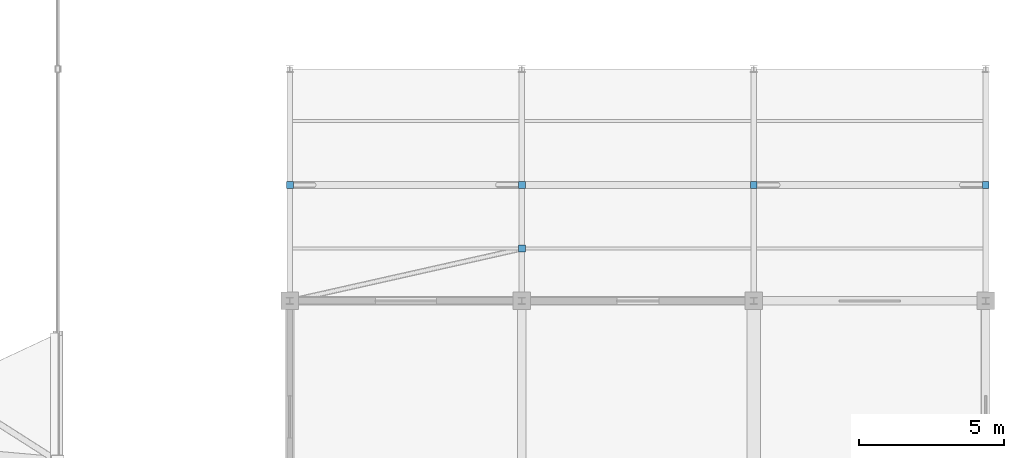
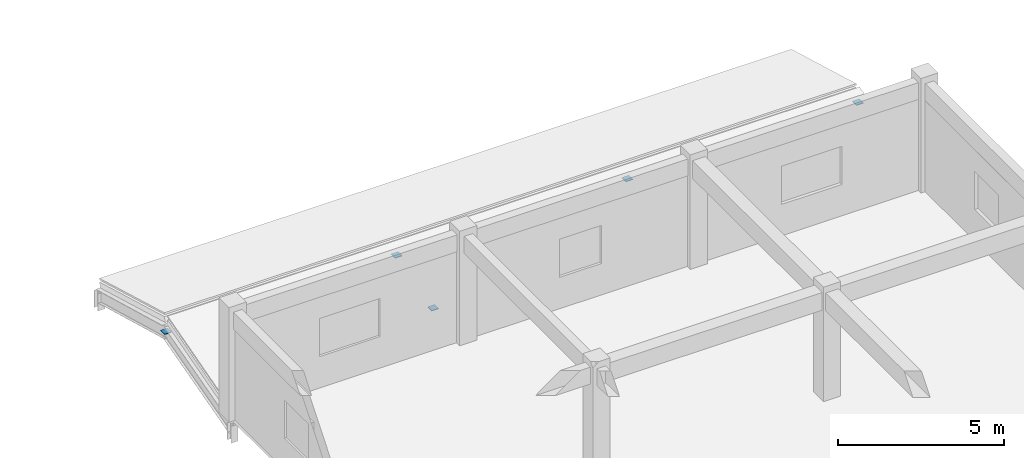
# One storey, part 48 of 54: 5 discrete accessories.
"""IFC4 building model written with IfcOpenShell, lengths in metres."""

from ifc_helpers import new_model, si_unit, direction, frame, origin, origin_2d, place, context, subcontext, project, spatial, rectangle, extrude, material, type_object, element, save


model = new_model("IFC4")

# Units and contexts
model_context = context("Model", 3, precision=1e-05, world=origin(), true_north=direction((0.0, 1.0)))
body_context = subcontext(model_context, "Body", "Model", "MODEL_VIEW")
ifc_project = project(units=[si_unit("LENGTHUNIT", "METRE"), si_unit("AREAUNIT", "SQUARE_METRE"), si_unit("VOLUMEUNIT", "CUBIC_METRE"), si_unit("PLANEANGLEUNIT", "RADIAN"), si_unit("MASSUNIT", "GRAM", prefix="KILO")], contexts=[model_context])

# Site, building, storey
site_placement = place(None, origin())
site = spatial("IfcSite", under=ifc_project, at=site_placement, CompositionType="ELEMENT")
building_placement = place(site_placement, origin())
building = spatial("IfcBuilding", under=site, at=building_placement, Name="Kenh Van Central Station", CompositionType="ELEMENT")
storey_placement = place(building_placement, frame((0.0, 0.0, 15.0)))
storey = spatial("IfcBuildingStorey", under=building, at=storey_placement, Name="L03", CompositionType="ELEMENT", Elevation=15.0)

# Discrete accessories
ifc_material = material(Name="Structural steel S355JR", Category="steel")
discrete_accessory_type = type_object("IfcDiscreteAccessoryType", Name="ACC-END-NODE", PredefinedType="BRACKET", material=ifc_material)
for number, where, z_axis, x_axis, name in (
    (1, (160.0, 81.800048828125, 0.00146484375), (0.0, 0.0, 1.0), (1.0, 0.0, 0.0), "L03 brace end connection node plate 0388"),
    (2, (152.0, 84.0, 0.6064453125), (0.0, 0.0, 1.0), (1.0, 0.0, 0.0), "L03 brace end connection node plate 0391"),
    (3, (160.0, 84.0, 0.6064453125), (0.0, 0.0, 1.0), (1.0, 0.0, 0.0), "L03 brace end connection node plate 0393"),
    (4, (168.0, 84.0, 0.6064453125), (0.0, 0.0, 1.0), (1.0, 0.0, 0.0), "L03 brace end connection node plate 0395"),
    (5, (176.0, 84.0, 0.6064453125), (0.0, 0.0, 1.0), (1.0, 0.0, 0.0), "L03 brace end connection node plate 0396"),
):
    element("IfcDiscreteAccessory", number, at=place(storey_placement, frame(where, z_axis=z_axis, x_axis=x_axis)), inside=storey, type_object=discrete_accessory_type, Name=name, PredefinedType="BRACKET", context=body_context, shape_type="SweptSolid", body=[
        extrude(rectangle(XDim=0.239990234375, YDim=0.239990234375, at=origin_2d()), origin(), (0.0, 0.0, 1.0), 0.02490234375),
    ])

save(model, "model.ifc")
